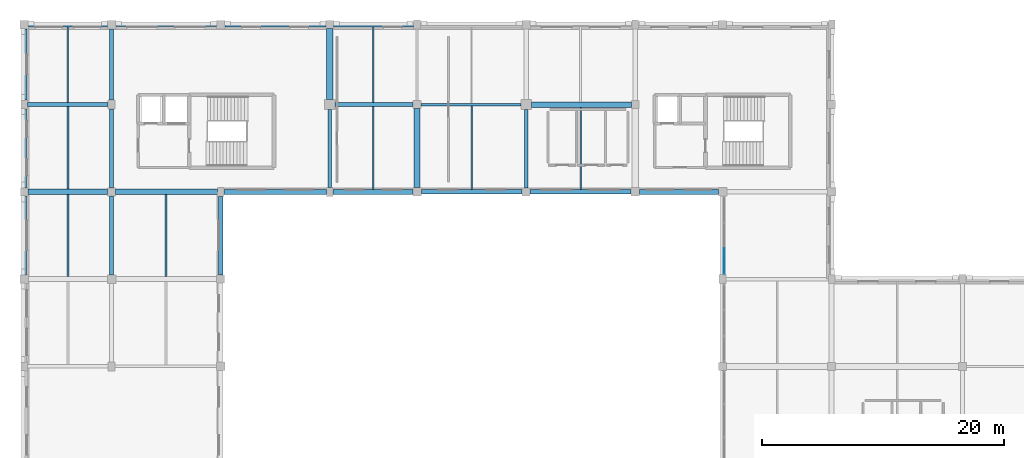
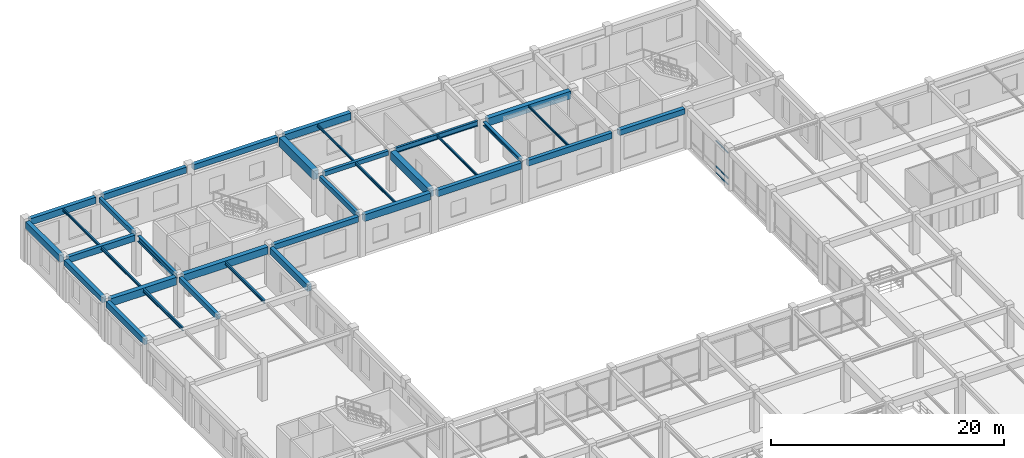
# One storey, part 15 of 62: 34 beams, 3 members, 1 element without a shape of its own.
"""IFC4 building model written with IfcOpenShell, lengths in metres."""

from ifc_helpers import new_model, si_unit, direction, frame, origin, origin_2d, place, context, subcontext, project, spatial, rectangle, i_section, extrude, material, material_profile, profile_set, type_object, element, aggregate, save


model = new_model("IFC4")

# Units and contexts
model_context = context("Model", 3, precision=1e-05, world=origin(), true_north=direction((0.0, 1.0)))
body_context = subcontext(model_context, "Body", "Model", "MODEL_VIEW")
ifc_project = project(units=[si_unit("LENGTHUNIT", "METRE"), si_unit("AREAUNIT", "SQUARE_METRE"), si_unit("VOLUMEUNIT", "CUBIC_METRE"), si_unit("PLANEANGLEUNIT", "RADIAN"), si_unit("MASSUNIT", "GRAM", prefix="KILO")], contexts=[model_context])

# Site, building, storey
site_placement = place(None, origin())
site = spatial("IfcSite", under=ifc_project, at=site_placement, CompositionType="ELEMENT")
building_placement = place(site_placement, origin())
building = spatial("IfcBuilding", under=site, at=building_placement, Name="Clarverna Civic Hall", CompositionType="ELEMENT")
storey_placement = place(building_placement, frame((0.0, 0.0, 5.10009765625)))
storey = spatial("IfcBuildingStorey", under=building, at=storey_placement, Name="L01", CompositionType="ELEMENT", Elevation=5.10009765625)

# Beams
ifc_material_1 = material(Name="Concrete C35/45", Category="concrete")
ifc_material_profile_1 = material_profile(ifc_material_1, rectangle(XDim=0.5, YDim=0.85009765625, at=origin_2d()), Name="RC 500x850")
ifc_profile_set_1 = profile_set([ifc_material_profile_1], Name="Concrete C35/45")
beam_type_1 = type_object("IfcBeamType", Name="B-RC1", PredefinedType="BEAM", material=ifc_profile_set_1)
beam_1_placement = place(storey_placement, frame((32.39990234375, 102.550048828125, 3.794921875), z_axis=(0.0, 1.0, 0.0), x_axis=(-1.0, 0.0, 0.0)))
element("IfcBeam", 1, at=beam_1_placement, inside=storey, type_object=beam_type_1, Name="B-RC1-018", PredefinedType="BEAM", context=body_context, shape_type="SweptSolid", body=[
    extrude(rectangle(XDim=0.5, YDim=0.85009765625, at=origin_2d()), origin(), (0.0, 0.0, 1.0), 6.52490234375),
])
ifc_material_profile_2 = material_profile(ifc_material_1, rectangle(XDim=0.35009765625, YDim=0.5, at=origin_2d()), Name="RC 350x500")
ifc_profile_set_2 = profile_set([ifc_material_profile_2], Name="Concrete C35/45")
beam_type_2 = type_object("IfcBeamType", Name="B-RC10", PredefinedType="BEAM", material=ifc_profile_set_2)
beam_2_placement = place(storey_placement, frame((7.199951171875, 95.35009765625, 3.969970703125), z_axis=(0.0, 1.0, 0.0), x_axis=(-1.0, 0.0, 0.0)))
element("IfcBeam", 2, at=beam_2_placement, inside=storey, type_object=beam_type_2, Name="B-RC10-023", PredefinedType="BEAM", context=body_context, shape_type="SweptSolid", body=[
    extrude(rectangle(XDim=0.35009765625, YDim=0.5, at=origin_2d()), origin(), (0.0, 0.0, 1.0), 6.52490234375),
])
ifc_material_profile_3 = material_profile(ifc_material_1, rectangle(XDim=0.300048828125, YDim=0.5, at=origin_2d()), Name="RC 300x500")
ifc_profile_set_3 = profile_set([ifc_material_profile_3], Name="Concrete C35/45")
beam_type_3 = type_object("IfcBeamType", Name="B-RC12", PredefinedType="BEAM", material=ifc_profile_set_3)
beam_3_placement = place(storey_placement, frame((7.199951171875, 109.77490234375, 3.969970703125), z_axis=(0.0, 1.0, 0.0), x_axis=(-1.0, 0.0, 0.0)))
element("IfcBeam", 3, at=beam_3_placement, inside=storey, type_object=beam_type_3, Name="B-RC12-033", PredefinedType="BEAM", context=body_context, shape_type="SweptSolid", body=[
    extrude(rectangle(XDim=0.300048828125, YDim=0.5, at=origin_2d()), origin(), (0.0, 0.0, 1.0), 5.875),
])
beam_4_placement = place(storey_placement, frame((25.199951171875, 102.574951171875, 3.969970703125), z_axis=(0.0, 1.0, 0.0), x_axis=(-1.0, 0.0, 0.0)))
element("IfcBeam", 4, at=beam_4_placement, inside=storey, type_object=beam_type_3, Name="B-RC12-034", PredefinedType="BEAM", context=body_context, shape_type="SweptSolid", body=[
    extrude(rectangle(XDim=0.300048828125, YDim=0.5, at=origin_2d()), origin(), (0.0, 0.0, 1.0), 6.400146484375),
])
ifc_material_profile_4 = material_profile(ifc_material_1, rectangle(XDim=0.550048828125, YDim=0.89990234375, at=origin_2d()), Name="RC 550x900")
ifc_profile_set_4 = profile_set([ifc_material_profile_4], Name="Concrete C35/45")
beam_type_4 = type_object("IfcBeamType", Name="B-RC13", PredefinedType="BEAM", material=ifc_profile_set_4)
beam_5_placement = place(storey_placement, frame((25.199951171875, 109.824951171875, 3.77001953125), z_axis=(0.0, 1.0, 0.0), x_axis=(-1.0, 0.0, 0.0)))
element("IfcBeam", 5, at=beam_5_placement, inside=storey, type_object=beam_type_4, Name="B-RC13-023", PredefinedType="BEAM", context=body_context, shape_type="SweptSolid", body=[
    extrude(rectangle(XDim=0.550048828125, YDim=0.89990234375, at=origin_2d()), origin(), (0.0, 0.0, 1.0), 5.85009765625),
])
ifc_material_profile_5 = material_profile(ifc_material_1, rectangle(XDim=0.35009765625, YDim=0.64990234375, at=origin_2d()), Name="RC 350x650")
ifc_profile_set_5 = profile_set([ifc_material_profile_5], Name="Concrete C35/45")
beam_type_5 = type_object("IfcBeamType", Name="B-RC17", PredefinedType="BEAM", material=ifc_profile_set_5)
beam_6_placement = place(storey_placement, frame((0.27490234375, 109.39990234375, 3.89501953125), z_axis=(1.0, 0.0, 0.0), x_axis=(0.0, 1.0, 0.0)))
element("IfcBeam", 6, at=beam_6_placement, inside=storey, type_object=beam_type_5, Name="B-RC17-026", PredefinedType="BEAM", context=body_context, shape_type="SweptSolid", body=[
    extrude(rectangle(XDim=0.35009765625, YDim=0.64990234375, at=origin_2d()), origin(), (0.0, 0.0, 1.0), 6.650146484375),
])
ifc_material_profile_6 = material_profile(ifc_material_1, rectangle(XDim=0.300048828125, YDim=0.449951171875, at=origin_2d()), Name="RC 300x450")
ifc_profile_set_6 = profile_set([ifc_material_profile_6], Name="Concrete C35/45")
beam_type_6 = type_object("IfcBeamType", Name="B-RC18", PredefinedType="BEAM", material=ifc_profile_set_6)
beam_7_placement = place(storey_placement, frame((25.625, 109.39990234375, 3.994873046875), z_axis=(1.0, 0.0, 0.0), x_axis=(0.0, 1.0, 0.0)))
element("IfcBeam", 7, at=beam_7_placement, inside=storey, type_object=beam_type_6, Name="B-RC18-025", PredefinedType="BEAM", context=body_context, shape_type="SweptSolid", body=[
    extrude(rectangle(XDim=0.300048828125, YDim=0.449951171875, at=origin_2d()), origin(), (0.0, 0.0, 1.0), 6.449951171875),
])
ifc_material_profile_7 = material_profile(ifc_material_1, rectangle(XDim=0.449951171875, YDim=0.800048828125, at=origin_2d()), Name="RC 450x800")
ifc_profile_set_7 = profile_set([ifc_material_profile_7], Name="Concrete C35/45")
beam_type_7 = type_object("IfcBeamType", Name="B-RC2", PredefinedType="BEAM", material=ifc_profile_set_7)
beam_8_placement = place(storey_placement, frame((0.324951171875, 102.199951171875, 3.81982421875), z_axis=(1.0, 0.0, 0.0), x_axis=(0.0, 1.0, 0.0)))
element("IfcBeam", 8, at=beam_8_placement, inside=storey, type_object=beam_type_7, Name="B-RC2-021", PredefinedType="BEAM", context=body_context, shape_type="SweptSolid", body=[
    extrude(rectangle(XDim=0.449951171875, YDim=0.800048828125, at=origin_2d()), origin(), (0.0, 0.0, 1.0), 6.550048828125),
])
beam_9_placement = place(storey_placement, frame((41.824951171875, 109.39990234375, 3.81982421875), z_axis=(1.0, 0.0, 0.0), x_axis=(0.0, 1.0, 0.0)))
element("IfcBeam", 9, at=beam_9_placement, inside=storey, type_object=beam_type_7, Name="B-RC2-022", PredefinedType="BEAM", context=body_context, shape_type="SweptSolid", body=[
    extrude(rectangle(XDim=0.449951171875, YDim=0.800048828125, at=origin_2d()), origin(), (0.0, 0.0, 1.0), 8.25),
])
ifc_material_profile_8 = material_profile(ifc_material_1, rectangle(XDim=0.449951171875, YDim=0.75, at=origin_2d()), Name="RC 450x750")
ifc_profile_set_8 = profile_set([ifc_material_profile_8], Name="Concrete C35/45")
beam_type_8 = type_object("IfcBeamType", Name="B-RC3", PredefinedType="BEAM", material=ifc_profile_set_8)
beam_10_placement = place(storey_placement, frame((7.52490234375, 102.199951171875, 3.844970703125), z_axis=(1.0, 0.0, 0.0), x_axis=(0.0, 1.0, 0.0)))
element("IfcBeam", 10, at=beam_10_placement, inside=storey, type_object=beam_type_8, Name="B-RC3-024", PredefinedType="BEAM", context=body_context, shape_type="SweptSolid", body=[
    extrude(rectangle(XDim=0.449951171875, YDim=0.75, at=origin_2d()), origin(), (0.0, 0.0, 1.0), 8.400146484375),
])
ifc_material_profile_9 = material_profile(ifc_material_1, rectangle(XDim=0.419921875, YDim=0.719970703125, at=origin_2d()), Name="RC 420x720")
ifc_profile_set_9 = profile_set([ifc_material_profile_9], Name="Concrete C35/45")
beam_type_9 = type_object("IfcBeamType", Name="B-SP1", PredefinedType="SPANDREL", material=ifc_profile_set_9)
beam_11_placement = place(storey_placement, frame((25.47509765625, 102.199951171875, 3.85986328125), z_axis=(1.0, 0.0, 0.0), x_axis=(0.0, 1.0, 0.0)))
element("IfcBeam", 11, at=beam_11_placement, inside=storey, type_object=beam_type_9, Name="B-SP1-064", PredefinedType="SPANDREL", context=body_context, shape_type="SweptSolid", body=[
    extrude(rectangle(XDim=0.419921875, YDim=0.719970703125, at=origin_2d()), origin(), (0.0, 0.0, 1.0), 6.574951171875),
])
beam_12_placement = place(storey_placement, frame((25.52490234375, 116.0, 3.85986328125), z_axis=(1.0, 0.0, 0.0), x_axis=(0.0, 1.0, 0.0)))
element("IfcBeam", 12, at=beam_12_placement, inside=storey, type_object=beam_type_9, Name="B-SP1-066", PredefinedType="SPANDREL", context=body_context, shape_type="SweptSolid", body=[
    extrude(rectangle(XDim=0.419921875, YDim=0.719970703125, at=origin_2d()), origin(), (0.0, 0.0, 1.0), 6.60009765625),
])
beam_13_placement = place(storey_placement, frame((0.0, 109.77490234375, 3.85986328125), z_axis=(0.0, 1.0, 0.0), x_axis=(-1.0, 0.0, 0.0)))
element("IfcBeam", 13, at=beam_13_placement, inside=storey, type_object=beam_type_9, Name="B-SP1-072", PredefinedType="SPANDREL", context=body_context, shape_type="SweptSolid", body=[
    extrude(rectangle(XDim=0.419921875, YDim=0.719970703125, at=origin_2d()), origin(), (0.0, 0.0, 1.0), 5.875),
])
ifc_material_profile_10 = material_profile(ifc_material_1, rectangle(XDim=0.3798828125, YDim=0.679931640625, at=origin_2d()), Name="RC 380x680")
ifc_profile_set_10 = profile_set([ifc_material_profile_10], Name="Concrete C35/45")
beam_type_10 = type_object("IfcBeamType", Name="B-SP2", PredefinedType="SPANDREL", material=ifc_profile_set_10)
beam_14_placement = place(storey_placement, frame((32.75, 102.199951171875, 3.8798828125), z_axis=(1.0, 0.0, 0.0), x_axis=(0.0, 1.0, 0.0)))
element("IfcBeam", 14, at=beam_14_placement, inside=storey, type_object=beam_type_10, Name="B-SP2-065", PredefinedType="SPANDREL", context=body_context, shape_type="SweptSolid", body=[
    extrude(rectangle(XDim=0.3798828125, YDim=0.679931640625, at=origin_2d()), origin(), (0.0, 0.0, 1.0), 8.324951171875),
])
for number, where, z_axis, x_axis, name in (
    (15, (0.35009765625, 116.0, 3.8798828125), (1.0, 0.0, 0.0), (0.0, 1.0, 0.0), "B-SP2-067"),
    (16, (16.199951171875, 95.324951171875, 3.8798828125), (0.0, 1.0, 0.0), (-1.0, 0.0, 0.0), "B-SP2-074"),
):
    element("IfcBeam", number, at=place(storey_placement, frame(where, z_axis=z_axis, x_axis=x_axis)), inside=storey, type_object=beam_type_10, Name=name, PredefinedType="SPANDREL", context=body_context, shape_type="SweptSolid", body=[
        extrude(rectangle(XDim=0.3798828125, YDim=0.679931640625, at=origin_2d()), origin(), (0.0, 0.0, 1.0), 6.5),
    ])
ifc_material_profile_11 = material_profile(ifc_material_1, rectangle(XDim=0.360107421875, YDim=0.6201171875, at=origin_2d()), Name="RC 360x620")
ifc_profile_set_11 = profile_set([ifc_material_profile_11], Name="Concrete C35/45")
beam_type_11 = type_object("IfcBeamType", Name="B-SP3", PredefinedType="SPANDREL", material=ifc_profile_set_11)
beam_15_placement = place(storey_placement, frame((41.72509765625, 102.199951171875, 3.909912109375), z_axis=(1.0, 0.0, 0.0), x_axis=(0.0, 1.0, 0.0)))
element("IfcBeam", 17, at=beam_15_placement, inside=storey, type_object=beam_type_11, Name="B-SP3-066", PredefinedType="SPANDREL", context=body_context, shape_type="SweptSolid", body=[
    extrude(rectangle(XDim=0.360107421875, YDim=0.6201171875, at=origin_2d()), origin(), (0.0, 0.0, 1.0), 8.324951171875),
])
beam_16_placement = place(storey_placement, frame((7.550048828125, 116.0, 3.909912109375), z_axis=(1.0, 0.0, 0.0), x_axis=(0.0, 1.0, 0.0)))
element("IfcBeam", 18, at=beam_16_placement, inside=storey, type_object=beam_type_11, Name="B-SP3-067", PredefinedType="SPANDREL", context=body_context, shape_type="SweptSolid", body=[
    extrude(rectangle(XDim=0.360107421875, YDim=0.6201171875, at=origin_2d()), origin(), (0.0, 0.0, 1.0), 8.300048828125),
])
beam_17_placement = place(storey_placement, frame((0.0, 95.35009765625, 3.909912109375), z_axis=(0.0, 1.0, 0.0), x_axis=(-1.0, 0.0, 0.0)))
element("IfcBeam", 19, at=beam_17_placement, inside=storey, type_object=beam_type_11, Name="B-SP3-073", PredefinedType="SPANDREL", context=body_context, shape_type="SweptSolid", body=[
    extrude(rectangle(XDim=0.360107421875, YDim=0.6201171875, at=origin_2d()), origin(), (0.0, 0.0, 1.0), 6.52490234375),
])
ifc_material_profile_12 = material_profile(ifc_material_1, rectangle(XDim=0.39990234375, YDim=0.56005859375, at=origin_2d()), Name="RC 400x560")
ifc_profile_set_12 = profile_set([ifc_material_profile_12], Name="Concrete C35/45")
beam_type_12 = type_object("IfcBeamType", Name="B-SP4", PredefinedType="SPANDREL", material=ifc_profile_set_12)
beam_18_placement = place(storey_placement, frame((16.47509765625, 102.199951171875, 3.93994140625), z_axis=(1.0, 0.0, 0.0), x_axis=(0.0, 1.0, 0.0)))
element("IfcBeam", 20, at=beam_18_placement, inside=storey, type_object=beam_type_12, Name="B-SP4-062", PredefinedType="SPANDREL", context=body_context, shape_type="SweptSolid", body=[
    extrude(rectangle(XDim=0.39990234375, YDim=0.56005859375, at=origin_2d()), origin(), (0.0, 0.0, 1.0), 8.449951171875),
])
beam_19_placement = place(storey_placement, frame((50.75, 102.199951171875, 3.93994140625), z_axis=(1.0, 0.0, 0.0), x_axis=(0.0, 1.0, 0.0)))
element("IfcBeam", 21, at=beam_19_placement, inside=storey, type_object=beam_type_12, Name="B-SP4-063", PredefinedType="SPANDREL", context=body_context, shape_type="SweptSolid", body=[
    extrude(rectangle(XDim=0.39990234375, YDim=0.56005859375, at=origin_2d()), origin(), (0.0, 0.0, 1.0), 6.5),
])
beam_20_placement = place(storey_placement, frame((16.550048828125, 116.0, 3.93994140625), z_axis=(1.0, 0.0, 0.0), x_axis=(0.0, 1.0, 0.0)))
element("IfcBeam", 22, at=beam_20_placement, inside=storey, type_object=beam_type_12, Name="B-SP4-064", PredefinedType="SPANDREL", context=body_context, shape_type="SweptSolid", body=[
    extrude(rectangle(XDim=0.39990234375, YDim=0.56005859375, at=origin_2d()), origin(), (0.0, 0.0, 1.0), 8.324951171875),
])
beam_21_placement = place(storey_placement, frame((0.0, 102.52490234375, 3.93994140625), z_axis=(0.0, 1.0, 0.0), x_axis=(-1.0, 0.0, 0.0)))
element("IfcBeam", 23, at=beam_21_placement, inside=storey, type_object=beam_type_12, Name="B-SP4-070", PredefinedType="SPANDREL", context=body_context, shape_type="SweptSolid", body=[
    extrude(rectangle(XDim=0.39990234375, YDim=0.56005859375, at=origin_2d()), origin(), (0.0, 0.0, 1.0), 6.5),
])
ifc_material_2 = material(Name="Steel S355", Category="steel")
ifc_material_profile_13 = material_profile(ifc_material_2, i_section(OverallWidth=0.300048828125, OverallDepth=0.60009765625, WebThickness=0.015380859375, FlangeThickness=0.030029296875, FilletRadius=0.027099609375, at=origin_2d()), Name="HEB 600")
ifc_profile_set_13 = profile_set([ifc_material_profile_13], Name="Steel S355")
beam_type_13 = type_object("IfcBeamType", Name="B-ST1", PredefinedType="BEAM", material=ifc_profile_set_13)
beam_22_placement = place(storey_placement, frame((7.199951171875, 102.52490234375, 3.919921875), z_axis=(0.0, 1.0, 0.0), x_axis=(-1.0, 0.0, 0.0)))
element("IfcBeam", 24, at=beam_22_placement, inside=storey, type_object=beam_type_13, Name="B-ST1-007", PredefinedType="BEAM", context=body_context, shape_type="SweptSolid", body=[
    extrude(i_section(OverallWidth=0.300048828125, OverallDepth=0.60009765625, WebThickness=0.015380859375, FlangeThickness=0.030029296875, FilletRadius=0.027099609375, at=origin_2d()), origin(), (0.0, 0.0, 1.0), 6.5),
])
ifc_material_profile_14 = material_profile(ifc_material_2, i_section(OverallWidth=0.2099609375, OverallDepth=0.550048828125, WebThickness=0.010986328125, FlangeThickness=0.01708984375, FilletRadius=0.02392578125, at=origin_2d()), Name="IPE 550")
ifc_profile_set_14 = profile_set([ifc_material_profile_14], Name="Steel S355")
beam_type_14 = type_object("IfcBeamType", Name="B-ST11", PredefinedType="BEAM", material=ifc_profile_set_14)
beam_23_placement = place(storey_placement, frame((32.72509765625, 109.39990234375, 3.94482421875), z_axis=(1.0, 0.0, 0.0), x_axis=(0.0, 1.0, 0.0)))
element("IfcBeam", 25, at=beam_23_placement, inside=storey, type_object=beam_type_14, Name="B-ST11-007", PredefinedType="BEAM", context=body_context, shape_type="SweptSolid", body=[
    extrude(i_section(OverallWidth=0.2099609375, OverallDepth=0.550048828125, WebThickness=0.010986328125, FlangeThickness=0.01708984375, FilletRadius=0.02392578125, at=origin_2d()), origin(), (0.0, 0.0, 1.0), 8.25),
])
ifc_material_profile_15 = material_profile(ifc_material_2, i_section(OverallWidth=0.300048828125, OverallDepth=0.389892578125, WebThickness=0.010986328125, FlangeThickness=0.01904296875, FilletRadius=0.027099609375, at=origin_2d()), Name="HEA 400")
ifc_profile_set_15 = profile_set([ifc_material_profile_15], Name="Steel S355")
beam_type_15 = type_object("IfcBeamType", Name="B-ST6", PredefinedType="BEAM", material=ifc_profile_set_15)
beam_24_placement = place(storey_placement, frame((41.39990234375, 102.52490234375, 4.02490234375), z_axis=(0.0, 1.0, 0.0), x_axis=(-1.0, 0.0, 0.0)))
element("IfcBeam", 26, at=beam_24_placement, inside=storey, type_object=beam_type_15, Name="B-ST6-007", PredefinedType="BEAM", context=body_context, shape_type="SweptSolid", body=[
    extrude(i_section(OverallWidth=0.300048828125, OverallDepth=0.389892578125, WebThickness=0.010986328125, FlangeThickness=0.01904296875, FilletRadius=0.027099609375, at=origin_2d()), origin(), (0.0, 0.0, 1.0), 6.4501953125),
])

# Curtain wall, members
ifc_material_3 = material(Name="Anodised Bronze Architectural Aluminium", Category="aluminium")
curtain_wall_type = type_object("IfcCurtainWallType", Name="CW-04", PredefinedType="USERDEFINED", material=ifc_material_3)
curtain_wall_placement = place(storey_placement, origin())
curtain_wall = element("IfcCurtainWall", 27, at=curtain_wall_placement, inside=storey, type_object=curtain_wall_type, Name="CW-04-026", ObjectType="UNITISED CURTAIN WALL", PredefinedType="USERDEFINED")
ifc_material_profile_16 = material_profile(ifc_material_3, rectangle(XDim=0.054931640625, YDim=0.110107421875, at=origin_2d()), Name="BRONZE 55x110")
ifc_profile_set_16 = profile_set([ifc_material_profile_16], Name="Anodised Bronze Architectural Aluminium")
member_type = type_object("IfcMemberType", Name="CWT-04", PredefinedType="USERDEFINED", material=ifc_profile_set_16)
member_1_placement = place(storey_placement, frame((57.739990234375, 95.462890625, 0.094970703125), z_axis=(0.0, 1.0, 0.0), x_axis=(-1.0, 0.0, 0.0)))
member_1 = element("IfcMember", 28, at=member_1_placement, type_object=member_type, Name="CWT-04-160", ObjectType="TRANSOM", PredefinedType="USERDEFINED", context=body_context, shape_type="SweptSolid", body=[
    extrude(rectangle(XDim=0.054931640625, YDim=0.110107421875, at=origin_2d()), origin(), (0.0, 0.0, 1.0), 2.079833984375),
])
member_2_placement = place(storey_placement, frame((57.739990234375, 95.462890625, 0.75), z_axis=(0.0, 1.0, 0.0), x_axis=(-1.0, 0.0, 0.0)))
member_2 = element("IfcMember", 29, at=member_2_placement, type_object=member_type, Name="CWT-04-161", ObjectType="TRANSOM", PredefinedType="USERDEFINED", context=body_context, shape_type="SweptSolid", body=[
    extrude(rectangle(XDim=0.054931640625, YDim=0.110107421875, at=origin_2d()), origin(), (0.0, 0.0, 1.0), 2.079833984375),
])
member_3_placement = place(storey_placement, frame((57.739990234375, 95.462890625, 3.40478515625), z_axis=(0.0, 1.0, 0.0), x_axis=(-1.0, 0.0, 0.0)))
member_3 = element("IfcMember", 30, at=member_3_placement, type_object=member_type, Name="CWT-04-162", ObjectType="TRANSOM", PredefinedType="USERDEFINED", context=body_context, shape_type="SweptSolid", body=[
    extrude(rectangle(XDim=0.054931640625, YDim=0.110107421875, at=origin_2d()), origin(), (0.0, 0.0, 1.0), 2.079833984375),
])
aggregate(curtain_wall, [member_1, member_2, member_3])

# Beams
ifc_material_profile_17 = material_profile(ifc_material_2, i_section(OverallWidth=0.169921875, OverallDepth=0.360107421875, WebThickness=0.008056640625, FlangeThickness=0.0126953125, FilletRadius=0.01806640625, at=origin_2d()), Name="IPE 360")
ifc_profile_set_17 = profile_set([ifc_material_profile_17], Name="Steel S355")
beam_type_16 = type_object("IfcBeamType", Name="J-ST1", PredefinedType="JOIST", material=ifc_profile_set_17)
beam_25_placement = place(storey_placement, frame((3.60009765625, 95.199951171875, 4.039794921875), z_axis=(0.0, 1.0, 0.0), x_axis=(-1.0, 0.0, 0.0)))
element("IfcBeam", 31, at=beam_25_placement, inside=storey, type_object=beam_type_16, Name="J-ST1-044", PredefinedType="JOIST", context=body_context, shape_type="SweptSolid", body=[
    extrude(i_section(OverallWidth=0.169921875, OverallDepth=0.360107421875, WebThickness=0.008056640625, FlangeThickness=0.0126953125, FilletRadius=0.01806640625, at=origin_2d()), origin(), (0.0, 0.0, 1.0), 6.775146484375),
])
ifc_material_profile_18 = material_profile(ifc_material_2, i_section(OverallWidth=0.159912109375, OverallDepth=0.330078125, WebThickness=0.007568359375, FlangeThickness=0.011474609375, FilletRadius=0.01806640625, at=origin_2d()), Name="IPE 330")
ifc_profile_set_18 = profile_set([ifc_material_profile_18], Name="Steel S355")
beam_type_17 = type_object("IfcBeamType", Name="J-ST2", PredefinedType="JOIST", material=ifc_profile_set_18)
beam_26_placement = place(storey_placement, frame((11.699951171875, 95.199951171875, 4.054931640625), z_axis=(0.0, 1.0, 0.0), x_axis=(-1.0, 0.0, 0.0)))
element("IfcBeam", 32, at=beam_26_placement, inside=storey, type_object=beam_type_17, Name="J-ST2-044", PredefinedType="JOIST", context=body_context, shape_type="SweptSolid", body=[
    extrude(i_section(OverallWidth=0.159912109375, OverallDepth=0.330078125, WebThickness=0.007568359375, FlangeThickness=0.011474609375, FilletRadius=0.01806640625, at=origin_2d()), origin(), (0.0, 0.0, 1.0), 6.775146484375),
])
ifc_material_profile_19 = material_profile(ifc_material_2, i_section(OverallWidth=0.14990234375, OverallDepth=0.300048828125, WebThickness=0.007080078125, FlangeThickness=0.0107421875, FilletRadius=0.014892578125, at=origin_2d()), Name="IPE 300")
ifc_profile_set_19 = profile_set([ifc_material_profile_19], Name="Steel S355")
beam_type_18 = type_object("IfcBeamType", Name="J-ST3", PredefinedType="JOIST", material=ifc_profile_set_19)
beam_27_placement = place(storey_placement, frame((3.60009765625, 102.425048828125, 4.06982421875), z_axis=(0.0, 1.0, 0.0), x_axis=(-1.0, 0.0, 0.0)))
element("IfcBeam", 33, at=beam_27_placement, inside=storey, type_object=beam_type_18, Name="J-ST3-045", PredefinedType="JOIST", context=body_context, shape_type="SweptSolid", body=[
    extrude(i_section(OverallWidth=0.14990234375, OverallDepth=0.300048828125, WebThickness=0.007080078125, FlangeThickness=0.0107421875, FilletRadius=0.014892578125, at=origin_2d()), origin(), (0.0, 0.0, 1.0), 6.800048828125),
])
ifc_material_profile_20 = material_profile(ifc_material_2, i_section(OverallWidth=0.135009765625, OverallDepth=0.27001953125, WebThickness=0.006591796875, FlangeThickness=0.01025390625, FilletRadius=0.014892578125, at=origin_2d()), Name="IPE 270")
ifc_profile_set_20 = profile_set([ifc_material_profile_20], Name="Steel S355")
beam_type_19 = type_object("IfcBeamType", Name="J-ST4", PredefinedType="JOIST", material=ifc_profile_set_20)
beam_28_placement = place(storey_placement, frame((28.800048828125, 102.409912109375, 4.0849609375), z_axis=(0.0, 1.0, 0.0), x_axis=(-1.0, 0.0, 0.0)))
element("IfcBeam", 34, at=beam_28_placement, inside=storey, type_object=beam_type_19, Name="J-ST4-047", PredefinedType="JOIST", context=body_context, shape_type="SweptSolid", body=[
    extrude(i_section(OverallWidth=0.135009765625, OverallDepth=0.27001953125, WebThickness=0.006591796875, FlangeThickness=0.01025390625, FilletRadius=0.014892578125, at=origin_2d()), origin(), (0.0, 0.0, 1.0), 6.840087890625),
])
beam_29_placement = place(storey_placement, frame((3.60009765625, 109.574951171875, 4.0849609375), z_axis=(0.0, 1.0, 0.0), x_axis=(-1.0, 0.0, 0.0)))
element("IfcBeam", 35, at=beam_29_placement, inside=storey, type_object=beam_type_19, Name="J-ST4-048", PredefinedType="JOIST", context=body_context, shape_type="SweptSolid", body=[
    extrude(i_section(OverallWidth=0.135009765625, OverallDepth=0.27001953125, WebThickness=0.006591796875, FlangeThickness=0.01025390625, FilletRadius=0.014892578125, at=origin_2d()), origin(), (0.0, 0.0, 1.0), 6.235107421875),
])
ifc_material_profile_21 = material_profile(ifc_material_2, i_section(OverallWidth=0.1201171875, OverallDepth=0.239990234375, WebThickness=0.006103515625, FlangeThickness=0.009765625, FilletRadius=0.014892578125, at=origin_2d()), Name="IPE 240")
ifc_profile_set_21 = profile_set([ifc_material_profile_21], Name="Steel S355")
beam_type_20 = type_object("IfcBeamType", Name="J-ST5", PredefinedType="JOIST", material=ifc_profile_set_21)
beam_30_placement = place(storey_placement, frame((36.89990234375, 102.389892578125, 4.099853515625), z_axis=(0.0, 1.0, 0.0), x_axis=(-1.0, 0.0, 0.0)))
element("IfcBeam", 36, at=beam_30_placement, inside=storey, type_object=beam_type_20, Name="J-ST5-045", PredefinedType="JOIST", context=body_context, shape_type="SweptSolid", body=[
    extrude(i_section(OverallWidth=0.1201171875, OverallDepth=0.239990234375, WebThickness=0.006103515625, FlangeThickness=0.009765625, FilletRadius=0.014892578125, at=origin_2d()), origin(), (0.0, 0.0, 1.0), 6.905029296875),
])
beam_31_placement = place(storey_placement, frame((28.800048828125, 109.550048828125, 4.099853515625), z_axis=(0.0, 1.0, 0.0), x_axis=(-1.0, 0.0, 0.0)))
element("IfcBeam", 37, at=beam_31_placement, inside=storey, type_object=beam_type_20, Name="J-ST5-046", PredefinedType="JOIST", context=body_context, shape_type="SweptSolid", body=[
    extrude(i_section(OverallWidth=0.1201171875, OverallDepth=0.239990234375, WebThickness=0.006103515625, FlangeThickness=0.009765625, FilletRadius=0.014892578125, at=origin_2d()), origin(), (0.0, 0.0, 1.0), 6.239990234375),
])
ifc_material_profile_22 = material_profile(ifc_material_2, i_section(OverallWidth=0.110107421875, OverallDepth=0.219970703125, WebThickness=0.005859375, FlangeThickness=0.00927734375, FilletRadius=0.011962890625, at=origin_2d()), Name="IPE 220")
ifc_profile_set_22 = profile_set([ifc_material_profile_22], Name="Steel S355")
beam_type_21 = type_object("IfcBeamType", Name="J-ST6", PredefinedType="JOIST", material=ifc_profile_set_22)
beam_32_placement = place(storey_placement, frame((45.89990234375, 102.3798828125, 4.10986328125), z_axis=(0.0, 1.0, 0.0), x_axis=(-1.0, 0.0, 0.0)))
element("IfcBeam", 38, at=beam_32_placement, inside=storey, type_object=beam_type_21, Name="J-ST6-046", PredefinedType="JOIST", context=body_context, shape_type="SweptSolid", body=[
    extrude(i_section(OverallWidth=0.110107421875, OverallDepth=0.219970703125, WebThickness=0.005859375, FlangeThickness=0.00927734375, FilletRadius=0.011962890625, at=origin_2d()), origin(), (0.0, 0.0, 1.0), 6.795166015625),
])

save(model, "model.ifc")
